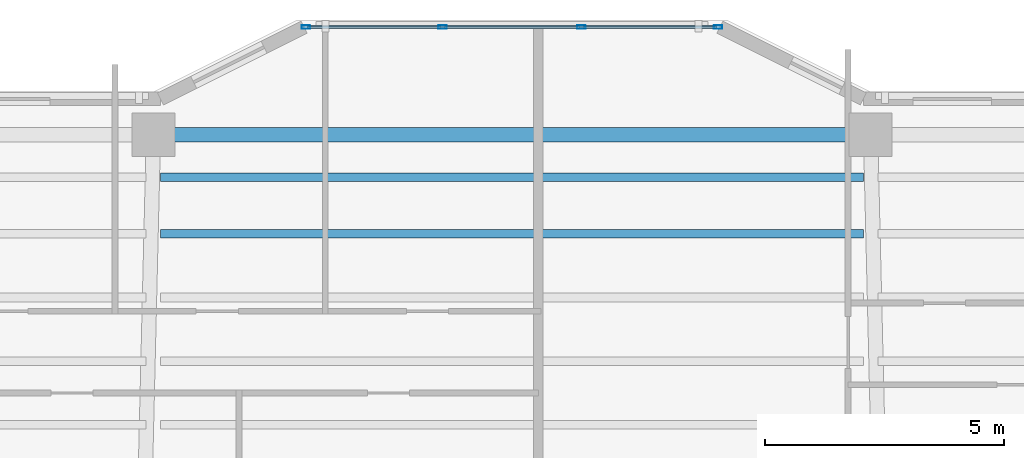
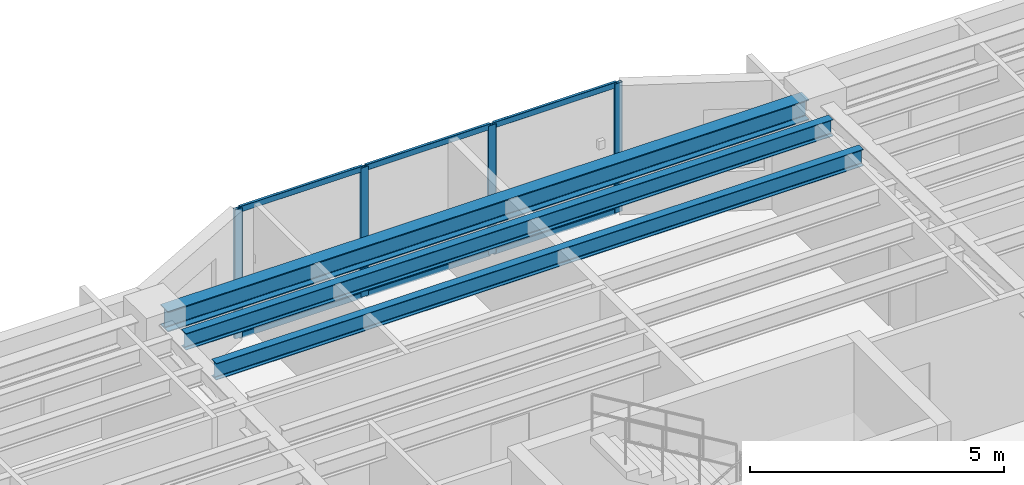
# One storey, part 4 of 16: 10 members, 3 beams, 1 element without a shape of its own.
"""IFC4 building model written with IfcOpenShell, lengths in metres."""

from ifc_helpers import new_model, si_unit, direction, frame, origin, origin_2d, place, context, subcontext, project, spatial, hollow_rectangle, i_section, extrude, material, layer, layer_set, material_profile, profile_set, type_object, element, aggregate, save


model = new_model("IFC4")

# Units and contexts
model_context = context("Model", 3, precision=1e-05, world=origin(), true_north=direction((0.0, 1.0)))
body_context = subcontext(model_context, "Body", "Model", "MODEL_VIEW")
ifc_project = project(units=[si_unit("LENGTHUNIT", "METRE"), si_unit("AREAUNIT", "SQUARE_METRE"), si_unit("VOLUMEUNIT", "CUBIC_METRE"), si_unit("PLANEANGLEUNIT", "RADIAN"), si_unit("MASSUNIT", "GRAM", prefix="KILO")], contexts=[model_context])

# Site, building, storey
site_placement = place(None, origin())
site = spatial("IfcSite", under=ifc_project, at=site_placement, CompositionType="ELEMENT")
building_placement = place(site_placement, origin())
building = spatial("IfcBuilding", under=site, at=building_placement, Name="Tarnavaz Court Tower", CompositionType="ELEMENT")
storey_placement = place(building_placement, frame((0.0, 0.0, 149.35009765625)))
storey = spatial("IfcBuildingStorey", under=building, at=storey_placement, Name="L40", CompositionType="ELEMENT", Elevation=149.35009765625)

# Beams
ifc_material_1 = material(Name="Steel S355", Category="steel")
ifc_material_profile_1 = material_profile(ifc_material_1, i_section(OverallWidth=0.179931640625, OverallDepth=0.39990234375, WebThickness=0.008544921875, FlangeThickness=0.013427734375, FilletRadius=0.02099609375, at=origin_2d()), Name="IPE 400")
ifc_profile_set_1 = profile_set([ifc_material_profile_1], Name="Steel S355")
beam_type_1 = type_object("IfcBeamType", Name="BM-J-IPE400", PredefinedType="JOIST", material=ifc_profile_set_1)
for number, where, z_axis, x_axis, name in (
    (1, (-7.35009765625, 18.327880859375, 2.89990234375), (1.0, 0.0, 0.0), (0.0, 1.0, 0.0), "L40 Beam JN4-2"),
    (2, (-7.35009765625, 19.511962890625, 2.89990234375), (1.0, 0.0, 0.0), (0.0, 1.0, 0.0), "L40 Beam JN5-2"),
):
    element("IfcBeam", number, at=place(storey_placement, frame(where, z_axis=z_axis, x_axis=x_axis)), inside=storey, type_object=beam_type_1, Name=name, PredefinedType="JOIST", context=body_context, shape_type="SweptSolid", body=[
        extrude(i_section(OverallWidth=0.179931640625, OverallDepth=0.39990234375, WebThickness=0.008544921875, FlangeThickness=0.013427734375, FilletRadius=0.02099609375, at=origin_2d()), origin(), (0.0, 0.0, 1.0), 14.7001953125),
    ])
ifc_material_profile_2 = material_profile(ifc_material_1, i_section(OverallWidth=0.300048828125, OverallDepth=0.489990234375, WebThickness=0.011962890625, FlangeThickness=0.02294921875, FilletRadius=0.027099609375, at=origin_2d()), Name="HEA 500")
ifc_profile_set_2 = profile_set([ifc_material_profile_2], Name="Steel S355")
beam_type_2 = type_object("IfcBeamType", Name="BM-SP-HEA500", PredefinedType="SPANDREL", material=ifc_profile_set_2)
beam_placement = place(storey_placement, frame((-7.280029296875, 20.39990234375, 2.85498046875), z_axis=(1.0, 0.0, 0.0), x_axis=(0.0, 1.0, 0.0)))
element("IfcBeam", 3, at=beam_placement, inside=storey, type_object=beam_type_2, Name="L40 Beam PR-PN-2-PN-3", PredefinedType="SPANDREL", context=body_context, shape_type="SweptSolid", body=[
    extrude(i_section(OverallWidth=0.300048828125, OverallDepth=0.489990234375, WebThickness=0.011962890625, FlangeThickness=0.02294921875, FilletRadius=0.027099609375, at=origin_2d()), origin(), (0.0, 0.0, 1.0), 14.56005859375),
])

# Curtain wall, members
ifc_material_2 = material(Name="Anodised Aluminium 6063-T6 and Solar Low-E Glazing", Category="aluminium")
ifc_layer = layer(ifc_material_2, 0.159912109375)
ifc_layer_set = layer_set([ifc_layer], Name="Anodised Aluminium 6063-T6 and Solar Low-E Glazing")
curtain_wall_type = type_object("IfcCurtainWallType", Name="CW-SYS-03", PredefinedType="NOTDEFINED", material=ifc_layer_set)
curtain_wall_placement = place(storey_placement, origin())
curtain_wall = element("IfcCurtainWall", 4, at=curtain_wall_placement, inside=storey, type_object=curtain_wall_type, Name="L40 Iwan Prow Curtain Wall 7", PredefinedType="NOTDEFINED")
ifc_material_3 = material(Name="Anodised Aluminium 6063-T6", Category="aluminium")
ifc_material_profile_3 = material_profile(ifc_material_3, hollow_rectangle(XDim=0.074951171875, YDim=0.179931640625, WallThickness=0.0048828125, InnerFilletRadius=0.0048828125, OuterFilletRadius=0.010009765625, at=origin_2d()), Name="ALU RHS 180X75X5")
ifc_profile_set_3 = profile_set([ifc_material_profile_3], Name="Anodised Aluminium 6063-T6")
member_type_1 = type_object("IfcMemberType", Name="CW-MUL-180", PredefinedType="MULLION", material=ifc_profile_set_3)
member_1_placement = place(storey_placement, frame((-4.3125, 22.64990234375, 0.0), z_axis=(0.0, 0.0, 1.0), x_axis=(0.0, 1.0, 0.0)))
member_1 = element("IfcMember", 5, at=member_1_placement, type_object=member_type_1, Name="CW mullion 1", PredefinedType="MULLION", context=body_context, shape_type="SweptSolid", body=[
    extrude(hollow_rectangle(XDim=0.074951171875, YDim=0.179931640625, WallThickness=0.0048828125, InnerFilletRadius=0.0048828125, OuterFilletRadius=0.010009765625, at=origin_2d()), origin(), (0.0, 0.0, 1.0), 3.099853515625),
])
member_2_placement = place(storey_placement, frame((-1.449951171875, 22.64990234375, 0.0), z_axis=(0.0, 0.0, 1.0), x_axis=(0.0, 1.0, 0.0)))
member_2 = element("IfcMember", 6, at=member_2_placement, type_object=member_type_1, Name="CW mullion 2", PredefinedType="MULLION", context=body_context, shape_type="SweptSolid", body=[
    extrude(hollow_rectangle(XDim=0.074951171875, YDim=0.179931640625, WallThickness=0.0048828125, InnerFilletRadius=0.0048828125, OuterFilletRadius=0.010009765625, at=origin_2d()), origin(), (0.0, 0.0, 1.0), 3.099853515625),
])
member_3_placement = place(storey_placement, frame((1.449951171875, 22.64990234375, 0.0), z_axis=(0.0, 0.0, 1.0), x_axis=(0.0, 1.0, 0.0)))
member_3 = element("IfcMember", 7, at=member_3_placement, type_object=member_type_1, Name="CW mullion 3", PredefinedType="MULLION", context=body_context, shape_type="SweptSolid", body=[
    extrude(hollow_rectangle(XDim=0.074951171875, YDim=0.179931640625, WallThickness=0.0048828125, InnerFilletRadius=0.0048828125, OuterFilletRadius=0.010009765625, at=origin_2d()), origin(), (0.0, 0.0, 1.0), 3.099853515625),
])
member_4_placement = place(storey_placement, frame((4.3125, 22.64990234375, 0.0), z_axis=(0.0, 0.0, 1.0), x_axis=(0.0, 1.0, 0.0)))
member_4 = element("IfcMember", 8, at=member_4_placement, type_object=member_type_1, Name="CW mullion 4", PredefinedType="MULLION", context=body_context, shape_type="SweptSolid", body=[
    extrude(hollow_rectangle(XDim=0.074951171875, YDim=0.179931640625, WallThickness=0.0048828125, InnerFilletRadius=0.0048828125, OuterFilletRadius=0.010009765625, at=origin_2d()), origin(), (0.0, 0.0, 1.0), 3.099853515625),
])
ifc_material_profile_4 = material_profile(ifc_material_3, hollow_rectangle(XDim=0.06494140625, YDim=0.139892578125, WallThickness=0.00390625, InnerFilletRadius=0.00390625, OuterFilletRadius=0.008056640625, at=origin_2d()), Name="ALU RHS 140X65X4")
ifc_profile_set_4 = profile_set([ifc_material_profile_4], Name="Anodised Aluminium 6063-T6")
member_type_2 = type_object("IfcMemberType", Name="CW-TRN-140", PredefinedType="USERDEFINED", material=ifc_profile_set_4)
member_5_placement = place(storey_placement, frame((-4.27490234375, 22.64990234375, 0.032470703125), z_axis=(1.0, 0.0, 0.0), x_axis=(0.0, 1.0, 0.0)))
member_5 = element("IfcMember", 9, at=member_5_placement, type_object=member_type_2, Name="CW transom 1.1", ObjectType="TRANSOM", PredefinedType="USERDEFINED", context=body_context, shape_type="SweptSolid", body=[
    extrude(hollow_rectangle(XDim=0.06494140625, YDim=0.139892578125, WallThickness=0.00390625, InnerFilletRadius=0.00390625, OuterFilletRadius=0.008056640625, at=origin_2d()), origin(), (0.0, 0.0, 1.0), 2.787353515625),
])
member_6_placement = place(storey_placement, frame((-4.27490234375, 22.64990234375, 3.0673828125), z_axis=(1.0, 0.0, 0.0), x_axis=(0.0, 1.0, 0.0)))
member_6 = element("IfcMember", 10, at=member_6_placement, type_object=member_type_2, Name="CW transom 1.2", ObjectType="TRANSOM", PredefinedType="USERDEFINED", context=body_context, shape_type="SweptSolid", body=[
    extrude(hollow_rectangle(XDim=0.06494140625, YDim=0.139892578125, WallThickness=0.00390625, InnerFilletRadius=0.00390625, OuterFilletRadius=0.008056640625, at=origin_2d()), origin(), (0.0, 0.0, 1.0), 2.787353515625),
])
member_7_placement = place(storey_placement, frame((-1.41259765625, 22.64990234375, 0.032470703125), z_axis=(1.0, 0.0, 0.0), x_axis=(0.0, 1.0, 0.0)))
member_7 = element("IfcMember", 11, at=member_7_placement, type_object=member_type_2, Name="CW transom 2.1", ObjectType="TRANSOM", PredefinedType="USERDEFINED", context=body_context, shape_type="SweptSolid", body=[
    extrude(hollow_rectangle(XDim=0.06494140625, YDim=0.139892578125, WallThickness=0.00390625, InnerFilletRadius=0.00390625, OuterFilletRadius=0.008056640625, at=origin_2d()), origin(), (0.0, 0.0, 1.0), 2.8251953125),
])
member_8_placement = place(storey_placement, frame((-1.41259765625, 22.64990234375, 3.0673828125), z_axis=(1.0, 0.0, 0.0), x_axis=(0.0, 1.0, 0.0)))
member_8 = element("IfcMember", 12, at=member_8_placement, type_object=member_type_2, Name="CW transom 2.2", ObjectType="TRANSOM", PredefinedType="USERDEFINED", context=body_context, shape_type="SweptSolid", body=[
    extrude(hollow_rectangle(XDim=0.06494140625, YDim=0.139892578125, WallThickness=0.00390625, InnerFilletRadius=0.00390625, OuterFilletRadius=0.008056640625, at=origin_2d()), origin(), (0.0, 0.0, 1.0), 2.8251953125),
])
member_9_placement = place(storey_placement, frame((1.487548828125, 22.64990234375, 0.032470703125), z_axis=(1.0, 0.0, 0.0), x_axis=(0.0, 1.0, 0.0)))
member_9 = element("IfcMember", 13, at=member_9_placement, type_object=member_type_2, Name="CW transom 3.1", ObjectType="TRANSOM", PredefinedType="USERDEFINED", context=body_context, shape_type="SweptSolid", body=[
    extrude(hollow_rectangle(XDim=0.06494140625, YDim=0.139892578125, WallThickness=0.00390625, InnerFilletRadius=0.00390625, OuterFilletRadius=0.008056640625, at=origin_2d()), origin(), (0.0, 0.0, 1.0), 2.787353515625),
])
member_10_placement = place(storey_placement, frame((1.487548828125, 22.64990234375, 3.0673828125), z_axis=(1.0, 0.0, 0.0), x_axis=(0.0, 1.0, 0.0)))
member_10 = element("IfcMember", 14, at=member_10_placement, type_object=member_type_2, Name="CW transom 3.2", ObjectType="TRANSOM", PredefinedType="USERDEFINED", context=body_context, shape_type="SweptSolid", body=[
    extrude(hollow_rectangle(XDim=0.06494140625, YDim=0.139892578125, WallThickness=0.00390625, InnerFilletRadius=0.00390625, OuterFilletRadius=0.008056640625, at=origin_2d()), origin(), (0.0, 0.0, 1.0), 2.787353515625),
])
aggregate(curtain_wall, [member_1, member_2, member_3, member_4, member_5, member_6, member_7, member_8, member_9, member_10])

save(model, "model.ifc")
